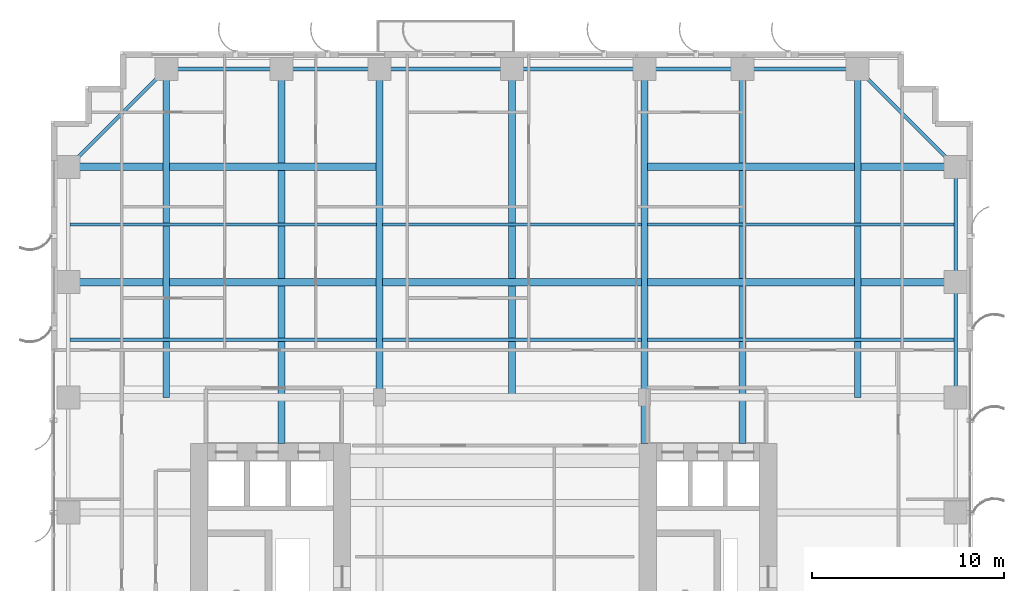
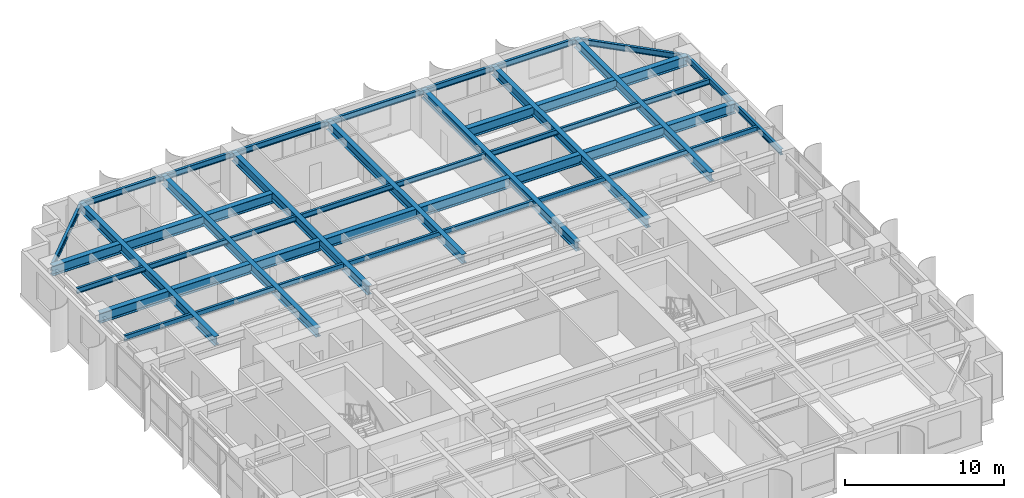
# One storey, part 7 of 18: 28 beams.
"""IFC4 building model written with IfcOpenShell, lengths in metres."""

from ifc_helpers import new_model, si_unit, direction, frame, origin, origin_2d, place, context, subcontext, project, spatial, i_section, extrude, source, transform, mapped, material, material_profile, profile_set, type_object, element, save


model = new_model("IFC4")

# Units and contexts
model_context = context("Model", 3, precision=1e-05, world=origin(), true_north=direction((0.0, 1.0)))
body_context = subcontext(model_context, "Body", "Model", "MODEL_VIEW")
ifc_project = project(units=[si_unit("LENGTHUNIT", "METRE"), si_unit("AREAUNIT", "SQUARE_METRE"), si_unit("VOLUMEUNIT", "CUBIC_METRE"), si_unit("PLANEANGLEUNIT", "RADIAN"), si_unit("MASSUNIT", "GRAM", prefix="KILO")], contexts=[model_context])

# Site, building, storey
site_placement = place(None, origin())
site = spatial("IfcSite", under=ifc_project, at=site_placement, CompositionType="ELEMENT")
building_placement = place(site_placement, origin())
building = spatial("IfcBuilding", under=site, at=building_placement, Name="Khoralis Quay Care Tower", CompositionType="ELEMENT")
storey_placement = place(building_placement, frame((0.0, 0.0, 47.699951171875)))
storey = spatial("IfcBuildingStorey", under=building, at=storey_placement, Name="L12", CompositionType="ELEMENT", Elevation=47.699951171875)

# Beams
ifc_material = material(Name="Steel S355", Category="steel")
ifc_material_profile_1 = material_profile(ifc_material, i_section(OverallWidth=0.18994140625, OverallDepth=0.449951171875, WebThickness=0.009521484375, FlangeThickness=0.0146484375, FilletRadius=0.02099609375, at=origin_2d()), Name="Steel S355")
ifc_profile_set_1 = profile_set([ifc_material_profile_1], Name="Steel S355")
beam_type_1 = type_object("IfcBeamType", Name="BM-IPE450", PredefinedType="SPANDREL", material=ifc_profile_set_1)
shared_shape_1 = source(origin(), body_context, "Body", "SweptSolid", [
    extrude(i_section(OverallWidth=0.18994140625, OverallDepth=0.449951171875, WebThickness=0.009521484375, FlangeThickness=0.0146484375, FilletRadius=0.02099609375, at=origin_2d()), origin(), (0.0, 0.0, 1.0), 6.0),
])
for number, where, z_axis, x_axis, name in (
    (1, (6.0, 47.10009765625, 3.094970703125), (1.0, 0.0, 0.0), (0.0, 1.0, 0.0), "BM-TSP-L12-07"),
    (2, (36.0, 47.10009765625, 3.094970703125), (1.0, 0.0, 0.0), (0.0, 1.0, 0.0), "BM-TSP-L12-12"),
    (3, (47.10009765625, 30.0, 3.094970703125), (0.0, 1.0, 0.0), (-1.0, 0.0, 0.0), "BM-TSP-L12-23"),
    (4, (47.10009765625, 36.0, 3.094970703125), (0.0, 1.0, 0.0), (-1.0, 0.0, 0.0), "BM-TSP-L12-24"),
):
    element("IfcBeam", number, at=place(storey_placement, frame(where, z_axis=z_axis, x_axis=x_axis)), inside=storey, type_object=beam_type_1, Name=name, PredefinedType="SPANDREL", context=body_context, shape_type="MappedRepresentation", body=[
        mapped(shared_shape_1, transform((0.0, 0.0, 0.0), scale=1.0)),
    ])
shared_shape_2 = source(origin(), body_context, "Body", "SweptSolid", [
    extrude(i_section(OverallWidth=0.18994140625, OverallDepth=0.449951171875, WebThickness=0.009521484375, FlangeThickness=0.0146484375, FilletRadius=0.02099609375, at=origin_2d()), origin(), (0.0, 0.0, 1.0), 5.10009765625),
])
for number, where, z_axis, x_axis, name in (
    (5, (12.0, 47.10009765625, 3.094970703125), (1.0, 0.0, 0.0), (0.0, 1.0, 0.0), "BM-TSP-L12-08"),
    (6, (30.89990234375, 47.10009765625, 3.094970703125), (1.0, 0.0, 0.0), (0.0, 1.0, 0.0), "BM-TSP-L12-11"),
):
    element("IfcBeam", number, at=place(storey_placement, frame(where, z_axis=z_axis, x_axis=x_axis)), inside=storey, type_object=beam_type_1, Name=name, PredefinedType="SPANDREL", context=body_context, shape_type="MappedRepresentation", body=[
        mapped(shared_shape_2, transform((0.0, 0.0, 0.0), scale=1.0)),
    ])
shared_shape_3 = source(origin(), body_context, "Body", "SweptSolid", [
    extrude(i_section(OverallWidth=0.18994140625, OverallDepth=0.449951171875, WebThickness=0.009521484375, FlangeThickness=0.0146484375, FilletRadius=0.02099609375, at=origin_2d()), origin(), (0.0, 0.0, 1.0), 6.89990234375),
])
for number, where, z_axis, x_axis, name in (
    (7, (17.10009765625, 47.10009765625, 3.094970703125), (1.0, 0.0, 0.0), (0.0, 1.0, 0.0), "BM-TSP-L12-09"),
    (8, (24.0, 47.10009765625, 3.094970703125), (1.0, 0.0, 0.0), (0.0, 1.0, 0.0), "BM-TSP-L12-10"),
):
    element("IfcBeam", number, at=place(storey_placement, frame(where, z_axis=z_axis, x_axis=x_axis)), inside=storey, type_object=beam_type_1, Name=name, PredefinedType="SPANDREL", context=body_context, shape_type="MappedRepresentation", body=[
        mapped(shared_shape_3, transform((0.0, 0.0, 0.0), scale=1.0)),
    ])
shared_shape_4 = source(origin(), body_context, "Body", "SweptSolid", [
    extrude(i_section(OverallWidth=0.18994140625, OverallDepth=0.449951171875, WebThickness=0.009521484375, FlangeThickness=0.0146484375, FilletRadius=0.02099609375, at=origin_2d()), origin(), (0.0, 0.0, 1.0), 7.212646484375),
])
for number, where, z_axis, x_axis, name in (
    (9, (6.0, 47.10009765625, 3.094970703125), (-0.707106781187, -0.707106781187, 0.0), (0.707106781187, -0.707106781187, 0.0), "BM-TCR-L12-27"),
    (10, (42.0, 47.10009765625, 3.094970703125), (0.707106781187, -0.707106781187, 0.0), (0.707106781187, 0.707106781187, 0.0), "BM-TCR-L12-28"),
):
    element("IfcBeam", number, at=place(storey_placement, frame(where, z_axis=z_axis, x_axis=x_axis)), inside=storey, type_object=beam_type_1, Name=name, PredefinedType="SPANDREL", context=body_context, shape_type="MappedRepresentation", body=[
        mapped(shared_shape_4, transform((0.0, 0.0, 0.0), scale=1.0)),
    ])
ifc_material_profile_2 = material_profile(ifc_material, i_section(OverallWidth=0.381103515625, OverallDepth=0.77294921875, WebThickness=0.0166015625, FlangeThickness=0.027587890625, FilletRadius=0.02197265625, at=origin_2d()), Name="Steel S355")
ifc_profile_set_2 = profile_set([ifc_material_profile_2], Name="Steel S355")
beam_type_2 = type_object("IfcBeamType", Name="BM-W760X257", PredefinedType="BEAM", material=ifc_profile_set_2)
shared_shape_5 = source(origin(), body_context, "Body", "SweptSolid", [
    extrude(i_section(OverallWidth=0.381103515625, OverallDepth=0.77294921875, WebThickness=0.0166015625, FlangeThickness=0.027587890625, FilletRadius=0.02197265625, at=origin_2d()), origin(), (0.0, 0.0, 1.0), 16.03466796875),
])
for number, where, z_axis, x_axis, name in (
    (11, (0.89990234375, 36.0, 2.93359375), (1.0, 0.0, 0.0), (0.0, 1.0, 0.0), "BM-TGXW-L12-360"),
    (12, (0.89990234375, 42.0, 2.93359375), (1.0, 0.0, 0.0), (0.0, 1.0, 0.0), "BM-TGXW-L12-420"),
    (13, (31.0654296875, 36.0, 2.93359375), (1.0, 0.0, 0.0), (0.0, 1.0, 0.0), "BM-TGXE-L12-360"),
    (14, (31.0654296875, 42.0, 2.93359375), (1.0, 0.0, 0.0), (0.0, 1.0, 0.0), "BM-TGXE-L12-420"),
):
    element("IfcBeam", number, at=place(storey_placement, frame(where, z_axis=z_axis, x_axis=x_axis)), inside=storey, type_object=beam_type_2, Name=name, PredefinedType="BEAM", context=body_context, shape_type="MappedRepresentation", body=[
        mapped(shared_shape_5, transform((0.0, 0.0, 0.0), scale=1.0)),
    ])
shared_shape_6 = source(origin(), body_context, "Body", "SweptSolid", [
    extrude(i_section(OverallWidth=0.381103515625, OverallDepth=0.77294921875, WebThickness=0.0166015625, FlangeThickness=0.027587890625, FilletRadius=0.02197265625, at=origin_2d()), origin(), (0.0, 0.0, 1.0), 13.46923828125),
])
beam_placement = place(storey_placement, frame((17.265380859375, 36.0, 2.93359375), z_axis=(1.0, 0.0, 0.0), x_axis=(0.0, 1.0, 0.0)))
element("IfcBeam", 15, at=beam_placement, inside=storey, type_object=beam_type_2, Name="BM-TGCC-L12-360", PredefinedType="BEAM", context=body_context, shape_type="MappedRepresentation", body=[
    mapped(shared_shape_6, transform((0.0, 0.0, 0.0), scale=1.0)),
])
ifc_material_profile_3 = material_profile(ifc_material, i_section(OverallWidth=0.35498046875, OverallDepth=0.695068359375, WebThickness=0.015380859375, FlangeThickness=0.02490234375, FilletRadius=0.02001953125, at=origin_2d()), Name="Steel S355")
ifc_profile_set_3 = profile_set([ifc_material_profile_3], Name="Steel S355")
beam_type_3 = type_object("IfcBeamType", Name="BM-W690X217", PredefinedType="BEAM", material=ifc_profile_set_3)
shared_shape_7 = source(origin(), body_context, "Body", "SweptSolid", [
    extrude(i_section(OverallWidth=0.35498046875, OverallDepth=0.695068359375, WebThickness=0.015380859375, FlangeThickness=0.02490234375, FilletRadius=0.02001953125, at=origin_2d()), origin(), (0.0, 0.0, 1.0), 17.10009765625),
])
for number, where, z_axis, x_axis, name in (
    (16, (6.0, 30.0, 2.97265625), (0.0, 1.0, 0.0), (-1.0, 0.0, 0.0), "BM-TGYN-L12-60"),
    (17, (17.10009765625, 30.0, 2.97265625), (0.0, 1.0, 0.0), (-1.0, 0.0, 0.0), "BM-TGYN-L12-171"),
    (18, (24.0, 30.0, 2.97265625), (0.0, 1.0, 0.0), (-1.0, 0.0, 0.0), "BM-TGYN-L12-240"),
    (19, (42.0, 30.0, 2.97265625), (0.0, 1.0, 0.0), (-1.0, 0.0, 0.0), "BM-TGYN-L12-420"),
):
    element("IfcBeam", number, at=place(storey_placement, frame(where, z_axis=z_axis, x_axis=x_axis)), inside=storey, type_object=beam_type_3, Name=name, PredefinedType="BEAM", context=body_context, shape_type="MappedRepresentation", body=[
        mapped(shared_shape_7, transform((0.0, 0.0, 0.0), scale=1.0)),
    ])
shared_shape_8 = source(origin(), body_context, "Body", "SweptSolid", [
    extrude(i_section(OverallWidth=0.35498046875, OverallDepth=0.695068359375, WebThickness=0.015380859375, FlangeThickness=0.02490234375, FilletRadius=0.02001953125, at=origin_2d()), origin(), (0.0, 0.0, 1.0), 19.502197265625),
])
for number, where, z_axis, x_axis, name in (
    (20, (12.0, 27.597900390625, 2.97265625), (0.0, 1.0, 0.0), (-1.0, 0.0, 0.0), "BM-TGYN-L12-120"),
    (21, (30.89990234375, 27.597900390625, 2.97265625), (0.0, 1.0, 0.0), (-1.0, 0.0, 0.0), "BM-TGYN-L12-309"),
    (22, (36.0, 27.597900390625, 2.97265625), (0.0, 1.0, 0.0), (-1.0, 0.0, 0.0), "BM-TGYN-L12-360"),
):
    element("IfcBeam", number, at=place(storey_placement, frame(where, z_axis=z_axis, x_axis=x_axis)), inside=storey, type_object=beam_type_3, Name=name, PredefinedType="BEAM", context=body_context, shape_type="MappedRepresentation", body=[
        mapped(shared_shape_8, transform((0.0, 0.0, 0.0), scale=1.0)),
    ])
ifc_material_profile_4 = material_profile(ifc_material, i_section(OverallWidth=0.177978515625, OverallDepth=0.406982421875, WebThickness=0.0078125, FlangeThickness=0.0126953125, FilletRadius=0.012939453125, at=origin_2d()), Name="Steel S355")
ifc_profile_set_4 = profile_set([ifc_material_profile_4], Name="Steel S355")
beam_type_4 = type_object("IfcBeamType", Name="BM-W410X60", PredefinedType="JOIST", material=ifc_profile_set_4)
shared_shape_9 = source(origin(), body_context, "Body", "SweptSolid", [
    extrude(i_section(OverallWidth=0.177978515625, OverallDepth=0.406982421875, WebThickness=0.0078125, FlangeThickness=0.0126953125, FilletRadius=0.012939453125, at=origin_2d()), origin(), (0.0, 0.0, 1.0), 15.95361328125),
])
for number, where, z_axis, x_axis, name in (
    (23, (0.98095703125, 33.0, 3.116455078125), (1.0, 0.0, 0.0), (0.0, 1.0, 0.0), "BM-TJS-L12-32"),
    (24, (31.0654296875, 33.0, 3.116455078125), (1.0, 0.0, 0.0), (0.0, 1.0, 0.0), "BM-TJS-L12-33"),
    (25, (0.98095703125, 39.0, 3.116455078125), (1.0, 0.0, 0.0), (0.0, 1.0, 0.0), "BM-TJS-L12-35"),
    (26, (31.0654296875, 39.0, 3.116455078125), (1.0, 0.0, 0.0), (0.0, 1.0, 0.0), "BM-TJS-L12-36"),
):
    element("IfcBeam", number, at=place(storey_placement, frame(where, z_axis=z_axis, x_axis=x_axis)), inside=storey, type_object=beam_type_4, Name=name, PredefinedType="JOIST", context=body_context, shape_type="MappedRepresentation", body=[
        mapped(shared_shape_9, transform((0.0, 0.0, 0.0), scale=1.0)),
    ])
shared_shape_10 = source(origin(), body_context, "Body", "SweptSolid", [
    extrude(i_section(OverallWidth=0.177978515625, OverallDepth=0.406982421875, WebThickness=0.0078125, FlangeThickness=0.0126953125, FilletRadius=0.012939453125, at=origin_2d()), origin(), (0.0, 0.0, 1.0), 13.46923828125),
])
for number, where, z_axis, x_axis, name in (
    (27, (17.265380859375, 33.0, 3.116455078125), (1.0, 0.0, 0.0), (0.0, 1.0, 0.0), "BM-TJS-L12-34"),
    (28, (17.265380859375, 39.0, 3.116455078125), (1.0, 0.0, 0.0), (0.0, 1.0, 0.0), "BM-TJS-L12-37"),
):
    element("IfcBeam", number, at=place(storey_placement, frame(where, z_axis=z_axis, x_axis=x_axis)), inside=storey, type_object=beam_type_4, Name=name, PredefinedType="JOIST", context=body_context, shape_type="MappedRepresentation", body=[
        mapped(shared_shape_10, transform((0.0, 0.0, 0.0), scale=1.0)),
    ])

save(model, "model.ifc")
